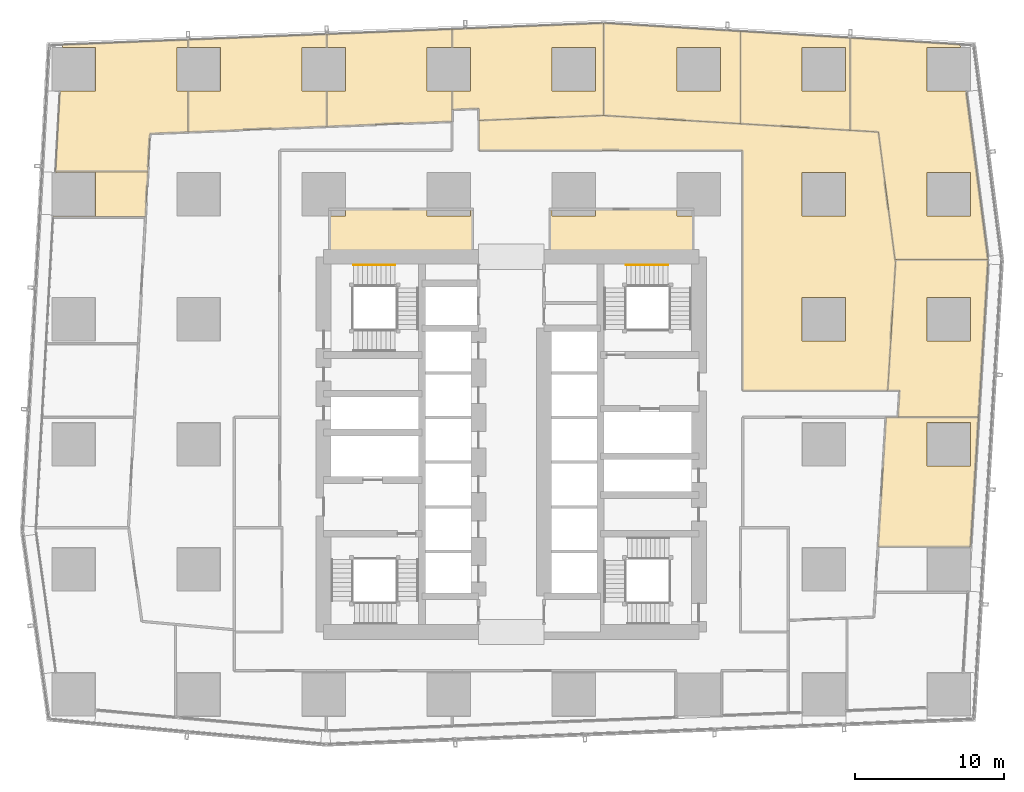
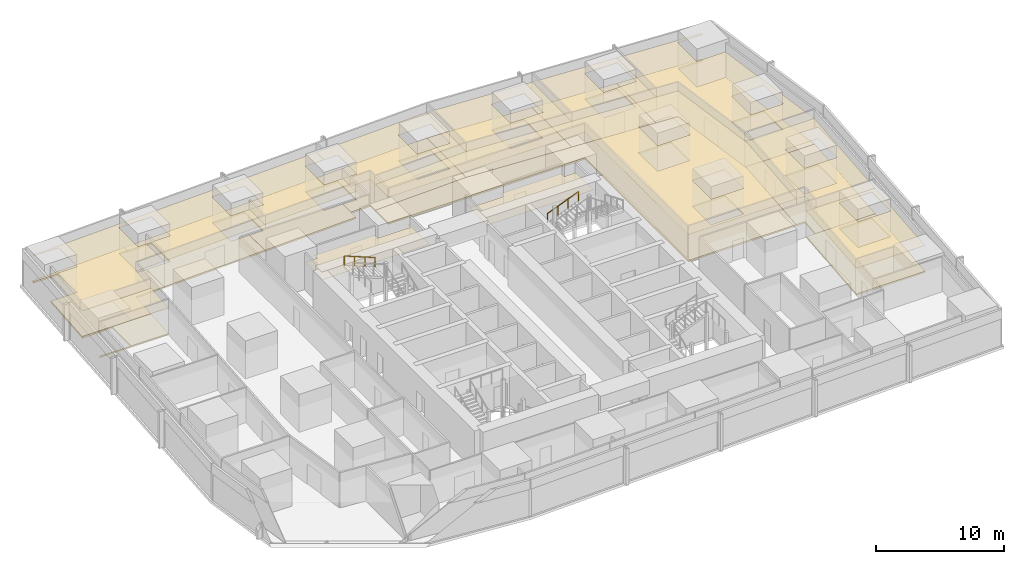
# One storey, part 40 of 40: 24 coverings, 2 railings.
"""IFC4 building model written with IfcOpenShell, lengths in metres."""

from ifc_helpers import new_model, si_unit, direction, frame, origin, origin_2d, place, context, subcontext, project, spatial, polyline, circle, outline, extrude, material, layer, layer_set, type_object, element, save


model = new_model("IFC4")

# Units and contexts
model_context = context("Model", 3, precision=1e-05, world=origin(), true_north=direction((0.0, 1.0)))
body_context = subcontext(model_context, "Body", "Model", "MODEL_VIEW")
ifc_project = project(units=[si_unit("LENGTHUNIT", "METRE"), si_unit("AREAUNIT", "SQUARE_METRE"), si_unit("VOLUMEUNIT", "CUBIC_METRE"), si_unit("PLANEANGLEUNIT", "RADIAN"), si_unit("MASSUNIT", "GRAM", prefix="KILO")], contexts=[model_context])

# Site, building, storey
site_placement = place(None, origin())
site = spatial("IfcSite", under=ifc_project, at=site_placement, CompositionType="ELEMENT")
building_placement = place(site_placement, origin())
building = spatial("IfcBuilding", under=site, at=building_placement, Name="Rekha Terrace Tower", CompositionType="ELEMENT")
storey_placement = place(building_placement, frame((0.0, 0.0, 95.300048828125)))
storey = spatial("IfcBuildingStorey", under=building, at=storey_placement, Name="L23", CompositionType="ELEMENT", Elevation=95.300048828125)

# Coverings
ifc_material_1 = material(Name="Mineral fibre tile in exposed grid", Category="finish")
ifc_layer_1 = layer(ifc_material_1, 0.02001953125)
ifc_layer_set_1 = layer_set([ifc_layer_1], Name="Mineral fibre tile in exposed grid")
covering_type_1 = type_object("IfcCoveringType", Name="CL1 600x1200 office grid ceiling", PredefinedType="CEILING", material=ifc_layer_set_1)
covering_1_placement = place(storey_placement, frame((0.0, 0.0, 2.579833984375)))
element("IfcCovering", 1, at=covering_1_placement, inside=storey, type_object=covering_type_1, Name="Ceiling L23-02", PredefinedType="CEILING", context=body_context, shape_type="SweptSolid", body=[
    extrude(outline(polyline([(63.780029296875, 35.425048828125), (69.18994140625, 35.425048828125), (69.837890625, 46.0029296875), (63.6259765625, 46.0029296875), (63.087890625, 37.220947265625), (63.889892578125, 37.220947265625), (63.780029296875, 35.425048828125)]), holes=[polyline([(68.6650390625, 40.534912109375), (65.735107421875, 40.534912109375), (65.735107421875, 43.465087890625), (68.6650390625, 43.465087890625), (68.6650390625, 40.534912109375)])]), origin(), (0.0, 0.0, 1.0), 0.02001953125),
])
covering_2_placement = place(storey_placement, frame((0.0, 0.0, 2.579833984375)))
element("IfcCovering", 2, at=covering_2_placement, inside=storey, type_object=covering_type_1, Name="Ceiling L23-03", PredefinedType="CEILING", context=body_context, shape_type="SweptSolid", body=[
    extrude(outline(polyline([(67.948974609375, 60.462890625), (60.56201171875, 60.906982421875), (60.56201171875, 54.696044921875), (62.462890625, 54.58203125), (63.5791015625, 46.00390625), (69.83203125, 46.00390625), (68.35595703125, 57.3349609375), (65.735107421875, 57.3349609375), (65.735107421875, 60.264892578125), (67.97509765625, 60.264892578125), (67.948974609375, 60.462890625)]), holes=[polyline([(68.6650390625, 48.93505859375), (65.735107421875, 48.93505859375), (65.735107421875, 51.864990234375), (68.6650390625, 51.864990234375), (68.6650390625, 48.93505859375)])]), origin(), (0.0, 0.0, 1.0), 0.02001953125),
])
covering_3_placement = place(storey_placement, frame((0.0, 0.0, 2.579833984375)))
element("IfcCovering", 3, at=covering_3_placement, inside=storey, type_object=covering_type_1, Name="Ceiling L23-04", PredefinedType="CEILING", context=body_context, shape_type="SweptSolid", body=[
    extrude(outline(polyline([(60.56103515625, 54.696044921875), (60.56103515625, 60.906982421875), (53.197021484375, 61.35009765625), (53.197021484375, 55.137939453125), (60.56103515625, 54.696044921875)]), holes=[polyline([(60.264892578125, 57.3349609375), (57.3349609375, 57.3349609375), (57.3349609375, 60.264892578125), (60.264892578125, 60.264892578125), (60.264892578125, 57.3349609375)])]), origin(), (0.0, 0.0, 1.0), 0.02001953125),
])
covering_4_placement = place(storey_placement, frame((0.0, 0.0, 2.579833984375)))
element("IfcCovering", 4, at=covering_4_placement, inside=storey, type_object=covering_type_1, Name="Ceiling L23-05", PredefinedType="CEILING", context=body_context, shape_type="SweptSolid", body=[
    extrude(outline(polyline([(53.196044921875, 55.137939453125), (53.196044921875, 61.35009765625), (44.00390625, 61.902099609375), (44.00390625, 55.69091796875), (53.196044921875, 55.137939453125)]), holes=[polyline([(51.864990234375, 57.3349609375), (48.93505859375, 57.3349609375), (48.93505859375, 60.264892578125), (51.864990234375, 60.264892578125), (51.864990234375, 57.3349609375)])]), origin(), (0.0, 0.0, 1.0), 0.02001953125),
])
covering_5_placement = place(storey_placement, frame((0.0, 0.0, 2.579833984375)))
element("IfcCovering", 5, at=covering_5_placement, inside=storey, type_object=covering_type_1, Name="Ceiling L23-06", PredefinedType="CEILING", context=body_context, shape_type="SweptSolid", body=[
    extrude(outline(polyline([(33.827880859375, 56.0869140625), (35.6259765625, 56.158935546875), (35.6259765625, 55.35791015625), (44.0029296875, 55.694091796875), (44.0029296875, 61.89892578125), (33.827880859375, 61.490966796875), (33.827880859375, 60.264892578125), (35.06494140625, 60.264892578125), (35.06494140625, 57.3349609375), (33.827880859375, 57.3349609375), (33.827880859375, 56.0869140625)]), holes=[polyline([(43.465087890625, 57.3349609375), (40.534912109375, 57.3349609375), (40.534912109375, 60.264892578125), (43.465087890625, 60.264892578125), (43.465087890625, 57.3349609375)])]), origin(), (0.0, 0.0, 1.0), 0.02001953125),
])
covering_6_placement = place(storey_placement, frame((0.0, 0.0, 2.579833984375)))
element("IfcCovering", 6, at=covering_6_placement, inside=storey, type_object=covering_type_1, Name="Ceiling L23-07", PredefinedType="CEILING", context=body_context, shape_type="SweptSolid", body=[
    extrude(outline(polyline([(25.4140625, 57.3349609375), (25.4140625, 54.948974609375), (33.825927734375, 55.285888671875), (33.825927734375, 56.0859375), (33.826904296875, 56.0859375), (33.826904296875, 57.3349609375), (32.135009765625, 57.3349609375), (32.135009765625, 60.264892578125), (33.826904296875, 60.264892578125), (33.826904296875, 61.490966796875), (25.4140625, 61.154052734375), (25.4140625, 60.264892578125), (26.6650390625, 60.264892578125), (26.6650390625, 57.3349609375), (25.4140625, 57.3349609375)])), origin(), (0.0, 0.0, 1.0), 0.02001953125),
])
covering_7_placement = place(storey_placement, frame((0.0, 0.0, 2.579833984375)))
element("IfcCovering", 7, at=covering_7_placement, inside=storey, type_object=covering_type_1, Name="Ceiling L23-08", PredefinedType="CEILING", context=body_context, shape_type="SweptSolid", body=[
    extrude(outline(polyline([(25.4130859375, 60.264892578125), (25.4130859375, 61.154052734375), (16.10205078125, 60.781005859375), (16.10205078125, 60.264892578125), (18.264892578125, 60.264892578125), (18.264892578125, 57.3349609375), (16.10205078125, 57.3349609375), (16.10205078125, 54.575927734375), (25.4130859375, 54.948974609375), (25.4130859375, 57.3349609375), (23.735107421875, 57.3349609375), (23.735107421875, 60.264892578125), (25.4130859375, 60.264892578125)])), origin(), (0.0, 0.0, 1.0), 0.02001953125),
])
covering_8_placement = place(storey_placement, frame((0.0, 0.0, 2.579833984375)))
element("IfcCovering", 8, at=covering_8_placement, inside=storey, type_object=covering_type_1, Name="Ceiling L23-09", PredefinedType="CEILING", context=body_context, shape_type="SweptSolid", body=[
    extrude(outline(polyline([(7.48291015625, 57.3349609375), (7.18505859375, 51.907958984375), (13.39404296875, 51.907958984375), (13.534912109375, 54.472900390625), (16.10107421875, 54.575927734375), (16.10107421875, 57.3349609375), (15.3349609375, 57.3349609375), (15.3349609375, 60.264892578125), (16.10107421875, 60.264892578125), (16.10107421875, 60.781005859375), (7.653076171875, 60.44189453125), (7.64306640625, 60.264892578125), (9.864990234375, 60.264892578125), (9.864990234375, 57.3349609375), (7.48291015625, 57.3349609375)])), origin(), (0.0, 0.0, 1.0), 0.02001953125),
])
covering_9_placement = place(storey_placement, frame((0.0, 0.0, 2.579833984375)))
element("IfcCovering", 9, at=covering_9_placement, inside=storey, type_object=covering_type_1, Name="Ceiling L23-10", PredefinedType="CEILING", context=body_context, shape_type="SweptSolid", body=[
    extrude(outline(polyline([(9.864990234375, 48.93505859375), (7.02197265625, 48.93505859375), (7.02001953125, 48.89404296875), (13.22900390625, 48.89404296875), (13.39404296875, 51.906982421875), (7.18505859375, 51.906982421875), (7.18310546875, 51.864990234375), (9.864990234375, 51.864990234375), (9.864990234375, 48.93505859375)])), origin(), (0.0, 0.0, 1.0), 0.02001953125),
])
covering_10_placement = place(storey_placement, frame((0.0, 0.0, 2.579833984375)))
element("IfcCovering", 10, at=covering_10_placement, inside=storey, type_object=covering_type_1, Name="Ceiling L23-O1", PredefinedType="CEILING", context=body_context, shape_type="SweptSolid", body=[
    extrude(outline(polyline([(44.0029296875, 55.69091796875), (43.9990234375, 55.69091796875), (43.97607421875, 55.693115234375), (35.6259765625, 55.35791015625), (35.6259765625, 53.35009765625), (53.35009765625, 53.35009765625), (53.35009765625, 37.220947265625), (63.087890625, 37.220947265625), (63.611083984375, 45.759033203125), (63.580078125, 46.00390625), (63.5791015625, 46.00390625), (62.462890625, 54.58203125), (60.56103515625, 54.696044921875), (53.196044921875, 55.137939453125), (44.0029296875, 55.69091796875)]), holes=[polyline([(60.264892578125, 40.534912109375), (57.3349609375, 40.534912109375), (57.3349609375, 43.465087890625), (60.264892578125, 43.465087890625), (60.264892578125, 40.534912109375)]), polyline([(60.264892578125, 48.93505859375), (57.3349609375, 48.93505859375), (57.3349609375, 51.864990234375), (60.264892578125, 51.864990234375), (60.264892578125, 48.93505859375)])]), origin(), (0.0, 0.0, 1.0), 0.02001953125),
])
covering_11_placement = place(storey_placement, frame((0.0, 0.0, 2.579833984375)))
element("IfcCovering", 11, at=covering_11_placement, inside=storey, type_object=covering_type_1, Name="Ceiling L23-17", PredefinedType="CEILING", context=body_context, shape_type="SweptSolid", body=[
    extrude(outline(polyline([(62.444091796875, 26.702880859375), (68.655029296875, 26.702880859375), (69.18994140625, 35.4208984375), (62.97802734375, 35.4208984375), (62.444091796875, 26.702880859375)]), holes=[polyline([(68.6650390625, 35.06494140625), (68.6650390625, 32.135009765625), (65.735107421875, 32.135009765625), (65.735107421875, 35.06494140625), (68.6650390625, 35.06494140625)])]), origin(), (0.0, 0.0, 1.0), 0.02001953125),
])
ifc_material_2 = material(Name="Fibre cement board", Category="finish")
ifc_layer_2 = layer(ifc_material_2, 0.014892578125)
ifc_layer_set_2 = layer_set([ifc_layer_2], Name="Fibre cement board")
covering_type_2 = type_object("IfcCoveringType", Name="CL2 moisture-resistant board ceiling", PredefinedType="CEILING", material=ifc_layer_set_2)
covering_12_placement = place(storey_placement, frame((0.0, 0.0, 2.5849609375)))
element("IfcCovering", 12, at=covering_12_placement, inside=storey, type_object=covering_type_2, Name="Ceiling L23-WCF", PredefinedType="CEILING", context=body_context, shape_type="SweptSolid", body=[
    extrude(outline(polyline([(40.534912109375, 49.39990234375), (40.39990234375, 49.39990234375), (40.39990234375, 46.199951171875), (50.0, 46.199951171875), (50.0, 48.93505859375), (48.93505859375, 48.93505859375), (48.93505859375, 49.39990234375), (43.465087890625, 49.39990234375), (43.465087890625, 48.93505859375), (40.534912109375, 48.93505859375), (40.534912109375, 49.39990234375)])), origin(), (0.0, 0.0, 1.0), 0.014892578125),
])
covering_13_placement = place(storey_placement, frame((0.0, 0.0, 2.5849609375)))
element("IfcCovering", 13, at=covering_13_placement, inside=storey, type_object=covering_type_2, Name="Ceiling L23-WCF2", PredefinedType="CEILING", context=body_context, shape_type="SweptSolid", body=[
    extrude(outline(polyline([(26.6650390625, 48.93505859375), (25.60009765625, 48.93505859375), (25.60009765625, 46.199951171875), (35.199951171875, 46.199951171875), (35.199951171875, 49.39990234375), (35.06494140625, 49.39990234375), (35.06494140625, 48.93505859375), (32.135009765625, 48.93505859375), (32.135009765625, 49.39990234375), (26.6650390625, 49.39990234375), (26.6650390625, 48.93505859375)])), origin(), (0.0, 0.0, 1.0), 0.014892578125),
])

# Railings
ifc_material_3 = material(Name="Stainless steel tube", Category="steel")
railing_type = type_object("IfcRailingType", Name="HR1 900 stair handrail", PredefinedType="HANDRAIL", material=ifc_material_3)
railing_1_placement = place(storey_placement, frame((45.52490234375, 45.639892578125, 1.375)))
element("IfcRailing", 14, at=railing_1_placement, inside=storey, type_object=railing_type, Name="Handrail ST2 L23 flight 2", PredefinedType="HANDRAIL", context=body_context, shape_type="SweptSolid", body=[
    extrude(circle(Radius=0.02392578125, at=origin_2d()), frame((0.0, 0.0, 0.8759765625), z_axis=(0.927443287984, 0.0, 0.373963831907), x_axis=(0.0, 1.0, 0.0)), (0.0, 0.0, 1.0), 3.00830078125),
    extrude(circle(Radius=0.02099609375, at=origin_2d()), origin(), (0.0, 0.0, 1.0), 0.851806640625),
    extrude(circle(Radius=0.02099609375, at=origin_2d()), frame((0.929931640625, 0.0, 0.375)), (0.0, 0.0, 1.0), 0.851806640625),
    extrude(circle(Radius=0.02099609375, at=origin_2d()), frame((1.860107421875, 0.0, 0.75)), (0.0, 0.0, 1.0), 0.851806640625),
    extrude(circle(Radius=0.02099609375, at=origin_2d()), frame((2.7900390625, 0.0, 1.125)), (0.0, 0.0, 1.0), 0.851806640625),
])
railing_2_placement = place(storey_placement, frame((29.989990234375, 45.639892578125, 2.625)))
element("IfcRailing", 15, at=railing_2_placement, inside=storey, type_object=railing_type, Name="Handrail ST4 L23 flight 3", PredefinedType="HANDRAIL", context=body_context, shape_type="SweptSolid", body=[
    extrude(circle(Radius=0.02392578125, at=origin_2d()), frame((0.0, 0.0, 0.8759765625), z_axis=(-0.927443287984, 0.0, 0.373963831907), x_axis=(0.0, -1.0, 0.0)), (0.0, 0.0, 1.0), 3.00830078125),
    extrude(circle(Radius=0.02099609375, at=origin_2d()), origin(), (0.0, 0.0, 1.0), 0.851806640625),
    extrude(circle(Radius=0.02099609375, at=origin_2d()), frame((-0.929931640625, 0.0, 0.375)), (0.0, 0.0, 1.0), 0.851806640625),
    extrude(circle(Radius=0.02099609375, at=origin_2d()), frame((-1.860107421875, 0.0, 0.75)), (0.0, 0.0, 1.0), 0.851806640625),
    extrude(circle(Radius=0.02099609375, at=origin_2d()), frame((-2.7900390625, 0.0, 1.125)), (0.0, 0.0, 1.0), 0.851806640625),
])

# Coverings
ifc_material_4 = material(Name="Calcium sulphate panels on steel pedestals", Category="steel")
ifc_layer_3 = layer(ifc_material_4, 0.14990234375)
ifc_layer_set_3 = layer_set([ifc_layer_3], Name="Calcium sulphate panels on steel pedestals")
covering_type_3 = type_object("IfcCoveringType", Name="RF1 150 raised access floor", PredefinedType="FLOORING", material=ifc_layer_set_3)
covering_14_placement = place(storey_placement, origin())
element("IfcCovering", 16, at=covering_14_placement, inside=storey, type_object=covering_type_3, Name="Raised floor L23-02", PredefinedType="FLOORING", context=body_context, shape_type="SweptSolid", body=[
    extrude(outline(polyline([(63.780029296875, 35.425048828125), (69.18994140625, 35.425048828125), (69.837890625, 46.0029296875), (63.6259765625, 46.0029296875), (63.087890625, 37.220947265625), (63.889892578125, 37.220947265625), (63.780029296875, 35.425048828125)]), holes=[polyline([(68.6650390625, 40.534912109375), (65.735107421875, 40.534912109375), (65.735107421875, 43.465087890625), (68.6650390625, 43.465087890625), (68.6650390625, 40.534912109375)])]), origin(), (0.0, 0.0, 1.0), 0.14990234375),
])
covering_15_placement = place(storey_placement, origin())
element("IfcCovering", 17, at=covering_15_placement, inside=storey, type_object=covering_type_3, Name="Raised floor L23-03", PredefinedType="FLOORING", context=body_context, shape_type="SweptSolid", body=[
    extrude(outline(polyline([(67.948974609375, 60.462890625), (60.56201171875, 60.906982421875), (60.56201171875, 54.696044921875), (62.462890625, 54.58203125), (63.5791015625, 46.00390625), (69.83203125, 46.00390625), (68.35595703125, 57.3349609375), (65.735107421875, 57.3349609375), (65.735107421875, 60.264892578125), (67.97509765625, 60.264892578125), (67.948974609375, 60.462890625)]), holes=[polyline([(68.6650390625, 48.93505859375), (65.735107421875, 48.93505859375), (65.735107421875, 51.864990234375), (68.6650390625, 51.864990234375), (68.6650390625, 48.93505859375)])]), origin(), (0.0, 0.0, 1.0), 0.14990234375),
])
covering_16_placement = place(storey_placement, origin())
element("IfcCovering", 18, at=covering_16_placement, inside=storey, type_object=covering_type_3, Name="Raised floor L23-04", PredefinedType="FLOORING", context=body_context, shape_type="SweptSolid", body=[
    extrude(outline(polyline([(60.56103515625, 54.696044921875), (60.56103515625, 60.906982421875), (53.197021484375, 61.35009765625), (53.197021484375, 55.137939453125), (60.56103515625, 54.696044921875)]), holes=[polyline([(60.264892578125, 57.3349609375), (57.3349609375, 57.3349609375), (57.3349609375, 60.264892578125), (60.264892578125, 60.264892578125), (60.264892578125, 57.3349609375)])]), origin(), (0.0, 0.0, 1.0), 0.14990234375),
])
covering_17_placement = place(storey_placement, origin())
element("IfcCovering", 19, at=covering_17_placement, inside=storey, type_object=covering_type_3, Name="Raised floor L23-05", PredefinedType="FLOORING", context=body_context, shape_type="SweptSolid", body=[
    extrude(outline(polyline([(53.196044921875, 55.137939453125), (53.196044921875, 61.35009765625), (44.00390625, 61.902099609375), (44.00390625, 55.69091796875), (53.196044921875, 55.137939453125)]), holes=[polyline([(51.864990234375, 57.3349609375), (48.93505859375, 57.3349609375), (48.93505859375, 60.264892578125), (51.864990234375, 60.264892578125), (51.864990234375, 57.3349609375)])]), origin(), (0.0, 0.0, 1.0), 0.14990234375),
])
covering_18_placement = place(storey_placement, origin())
element("IfcCovering", 20, at=covering_18_placement, inside=storey, type_object=covering_type_3, Name="Raised floor L23-06", PredefinedType="FLOORING", context=body_context, shape_type="SweptSolid", body=[
    extrude(outline(polyline([(33.827880859375, 56.0869140625), (35.6259765625, 56.158935546875), (35.6259765625, 55.35791015625), (44.0029296875, 55.694091796875), (44.0029296875, 61.89892578125), (33.827880859375, 61.490966796875), (33.827880859375, 60.264892578125), (35.06494140625, 60.264892578125), (35.06494140625, 57.3349609375), (33.827880859375, 57.3349609375), (33.827880859375, 56.0869140625)]), holes=[polyline([(43.465087890625, 57.3349609375), (40.534912109375, 57.3349609375), (40.534912109375, 60.264892578125), (43.465087890625, 60.264892578125), (43.465087890625, 57.3349609375)])]), origin(), (0.0, 0.0, 1.0), 0.14990234375),
])
covering_19_placement = place(storey_placement, origin())
element("IfcCovering", 21, at=covering_19_placement, inside=storey, type_object=covering_type_3, Name="Raised floor L23-07", PredefinedType="FLOORING", context=body_context, shape_type="SweptSolid", body=[
    extrude(outline(polyline([(25.4140625, 57.3349609375), (25.4140625, 54.948974609375), (33.825927734375, 55.285888671875), (33.825927734375, 56.0859375), (33.826904296875, 56.0859375), (33.826904296875, 57.3349609375), (32.135009765625, 57.3349609375), (32.135009765625, 60.264892578125), (33.826904296875, 60.264892578125), (33.826904296875, 61.490966796875), (25.4140625, 61.154052734375), (25.4140625, 60.264892578125), (26.6650390625, 60.264892578125), (26.6650390625, 57.3349609375), (25.4140625, 57.3349609375)])), origin(), (0.0, 0.0, 1.0), 0.14990234375),
])
covering_20_placement = place(storey_placement, origin())
element("IfcCovering", 22, at=covering_20_placement, inside=storey, type_object=covering_type_3, Name="Raised floor L23-08", PredefinedType="FLOORING", context=body_context, shape_type="SweptSolid", body=[
    extrude(outline(polyline([(25.4130859375, 60.264892578125), (25.4130859375, 61.154052734375), (16.10205078125, 60.781005859375), (16.10205078125, 60.264892578125), (18.264892578125, 60.264892578125), (18.264892578125, 57.3349609375), (16.10205078125, 57.3349609375), (16.10205078125, 54.575927734375), (25.4130859375, 54.948974609375), (25.4130859375, 57.3349609375), (23.735107421875, 57.3349609375), (23.735107421875, 60.264892578125), (25.4130859375, 60.264892578125)])), origin(), (0.0, 0.0, 1.0), 0.14990234375),
])
covering_21_placement = place(storey_placement, origin())
element("IfcCovering", 23, at=covering_21_placement, inside=storey, type_object=covering_type_3, Name="Raised floor L23-09", PredefinedType="FLOORING", context=body_context, shape_type="SweptSolid", body=[
    extrude(outline(polyline([(7.48291015625, 57.3349609375), (7.18505859375, 51.907958984375), (13.39404296875, 51.907958984375), (13.534912109375, 54.472900390625), (16.10107421875, 54.575927734375), (16.10107421875, 57.3349609375), (15.3349609375, 57.3349609375), (15.3349609375, 60.264892578125), (16.10107421875, 60.264892578125), (16.10107421875, 60.781005859375), (7.653076171875, 60.44189453125), (7.64306640625, 60.264892578125), (9.864990234375, 60.264892578125), (9.864990234375, 57.3349609375), (7.48291015625, 57.3349609375)])), origin(), (0.0, 0.0, 1.0), 0.14990234375),
])
covering_22_placement = place(storey_placement, origin())
element("IfcCovering", 24, at=covering_22_placement, inside=storey, type_object=covering_type_3, Name="Raised floor L23-10", PredefinedType="FLOORING", context=body_context, shape_type="SweptSolid", body=[
    extrude(outline(polyline([(9.864990234375, 48.93505859375), (7.02197265625, 48.93505859375), (7.02001953125, 48.89404296875), (13.22900390625, 48.89404296875), (13.39404296875, 51.906982421875), (7.18505859375, 51.906982421875), (7.18310546875, 51.864990234375), (9.864990234375, 51.864990234375), (9.864990234375, 48.93505859375)])), origin(), (0.0, 0.0, 1.0), 0.14990234375),
])
covering_23_placement = place(storey_placement, origin())
element("IfcCovering", 25, at=covering_23_placement, inside=storey, type_object=covering_type_3, Name="Raised floor L23-O1", PredefinedType="FLOORING", context=body_context, shape_type="SweptSolid", body=[
    extrude(outline(polyline([(44.0029296875, 55.69091796875), (43.9990234375, 55.69091796875), (43.97607421875, 55.693115234375), (35.6259765625, 55.35791015625), (35.6259765625, 53.35009765625), (53.35009765625, 53.35009765625), (53.35009765625, 37.220947265625), (63.087890625, 37.220947265625), (63.611083984375, 45.759033203125), (63.580078125, 46.00390625), (63.5791015625, 46.00390625), (62.462890625, 54.58203125), (60.56103515625, 54.696044921875), (53.196044921875, 55.137939453125), (44.0029296875, 55.69091796875)]), holes=[polyline([(60.264892578125, 40.534912109375), (57.3349609375, 40.534912109375), (57.3349609375, 43.465087890625), (60.264892578125, 43.465087890625), (60.264892578125, 40.534912109375)]), polyline([(60.264892578125, 48.93505859375), (57.3349609375, 48.93505859375), (57.3349609375, 51.864990234375), (60.264892578125, 51.864990234375), (60.264892578125, 48.93505859375)])]), origin(), (0.0, 0.0, 1.0), 0.14990234375),
])
covering_24_placement = place(storey_placement, origin())
element("IfcCovering", 26, at=covering_24_placement, inside=storey, type_object=covering_type_3, Name="Raised floor L23-17", PredefinedType="FLOORING", context=body_context, shape_type="SweptSolid", body=[
    extrude(outline(polyline([(62.444091796875, 26.702880859375), (68.655029296875, 26.702880859375), (69.18994140625, 35.4208984375), (62.97802734375, 35.4208984375), (62.444091796875, 26.702880859375)]), holes=[polyline([(68.6650390625, 35.06494140625), (68.6650390625, 32.135009765625), (65.735107421875, 32.135009765625), (65.735107421875, 35.06494140625), (68.6650390625, 35.06494140625)])]), origin(), (0.0, 0.0, 1.0), 0.14990234375),
])

save(model, "model.ifc")
